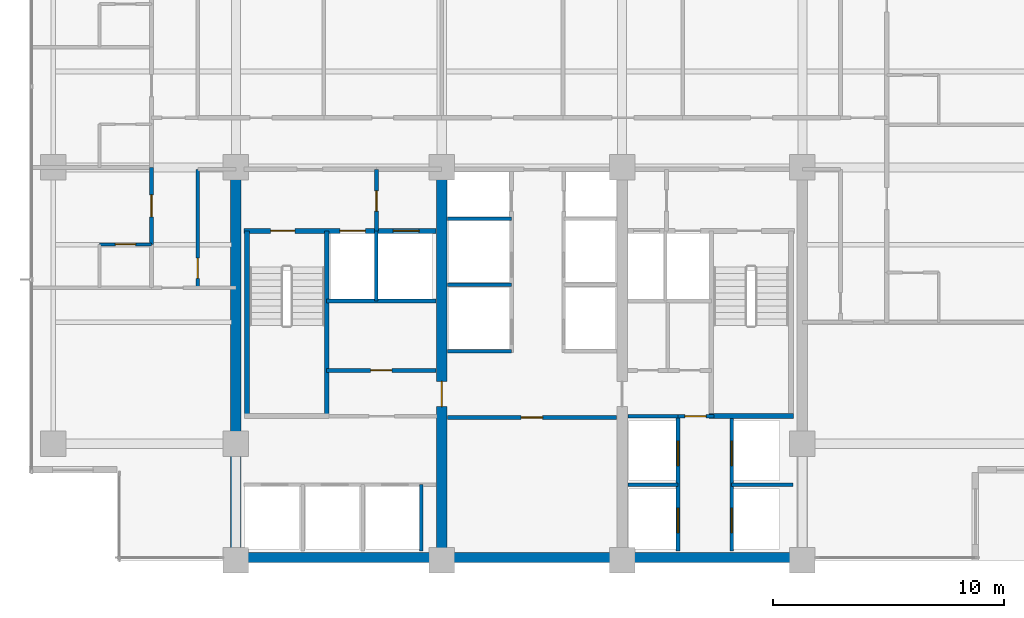
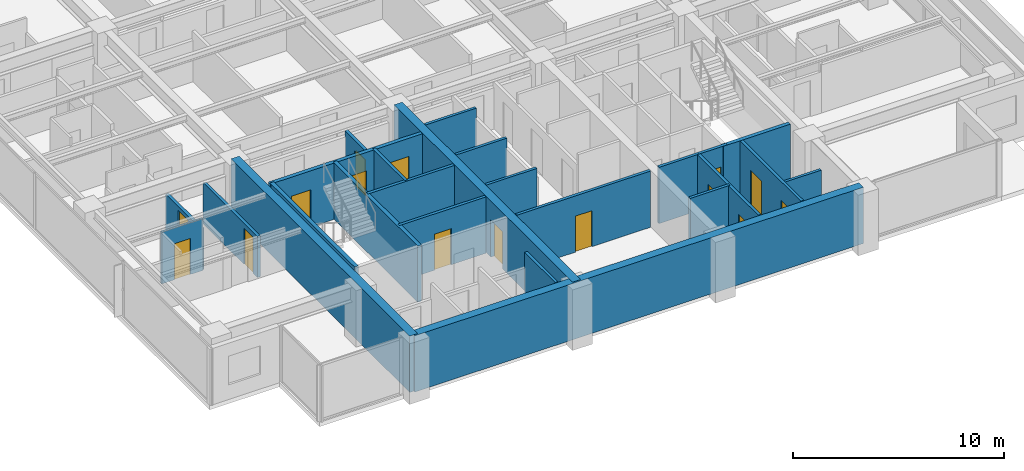
# One storey, part 7 of 16: 25 walls, 15 doors, 15 openings.
"""IFC4 building model written with IfcOpenShell, lengths in metres."""

from ifc_helpers import new_model, si_unit, direction, frame, frame_2d, origin, place, context, subcontext, project, spatial, rectangle, extrude, material, layer, layer_set, type_object, element, fill, save


model = new_model("IFC4")

# Units and contexts
model_context = context("Model", 3, precision=1e-05, world=origin(), true_north=direction((0.0, 1.0)))
body_context = subcontext(model_context, "Body", "Model", "MODEL_VIEW")
ifc_project = project(units=[si_unit("LENGTHUNIT", "METRE"), si_unit("AREAUNIT", "SQUARE_METRE"), si_unit("VOLUMEUNIT", "CUBIC_METRE"), si_unit("PLANEANGLEUNIT", "RADIAN"), si_unit("MASSUNIT", "GRAM", prefix="KILO")], contexts=[model_context])

# Site, building, storey
site_placement = place(None, origin())
site = spatial("IfcSite", under=ifc_project, at=site_placement, CompositionType="ELEMENT")
building_placement = place(site_placement, origin())
building = spatial("IfcBuilding", under=site, at=building_placement, Name="Qalmaran Belvedere Hotel", CompositionType="ELEMENT")
storey_placement = place(building_placement, frame((0.0, 0.0, 138.60009765625)))
storey = spatial("IfcBuildingStorey", under=building, at=storey_placement, Name="L34", CompositionType="ELEMENT", Elevation=138.60009765625)

# Wall
ifc_material_1 = material(Name="Concrete C50/60", Category="concrete")
ifc_layer_1 = layer(ifc_material_1, 0.449951171875, Name="Concrete C50/60")
ifc_layer_set_1 = layer_set([ifc_layer_1], Name="Concrete C50/60")
wall_type_1 = type_object("IfcWallType", Name="WL-CORE-450-C50", PredefinedType="SHEAR", material=ifc_layer_set_1)
wall_1_placement = place(storey_placement, frame((20.300048828125, 3.5, 0.0), z_axis=(0.0, 0.0, 1.0), x_axis=(0.0, 1.0, 0.0)))
element("IfcWall", 1, at=wall_1_placement, inside=storey, type_object=wall_type_1, Name="L34 West Core Shear Wall", PredefinedType="SHEAR", context=body_context, shape_type="SweptSolid", body=[
    extrude(rectangle(XDim=16.89990234375, YDim=0.449951171875, at=frame_2d((8.449951171875, 0.0))), origin(), (0.0, 0.0, 1.0), 3.25),
])

# Wall, opening, door
wall_2_placement = place(storey_placement, frame((29.199951171875, 3.5, 0.0), z_axis=(0.0, 0.0, 1.0), x_axis=(0.0, 1.0, 0.0)))
wall_2 = element("IfcWall", 2, at=wall_2_placement, inside=storey, type_object=wall_type_1, Name="L34 Core West Spine Shear Wall", PredefinedType="SHEAR", context=body_context, shape_type="SweptSolid", body=[
    extrude(rectangle(XDim=16.89990234375, YDim=0.449951171875, at=frame_2d((8.449951171875, 0.0))), origin(), (0.0, 0.0, 1.0), 3.25),
])
opening_1_placement = place(wall_2_placement, frame((7.75, 0.0, 0.0), z_axis=(0.0, 0.0, 1.0), x_axis=(-1.0, 0.0, 0.0)))
opening_1 = element("IfcOpeningElement", 3, at=opening_1_placement, cuts=wall_2, Name="Opening FD90", PredefinedType="OPENING", context=body_context, shape_type="SweptSolid", body=[
    extrude(rectangle(XDim=1.10009765625, YDim=2.14990234375, at=frame_2d((0.550048828125, 1.074951171875))), frame((0.0, 0.23486328125, 0.0), z_axis=(0.0, -1.0, 0.0), x_axis=(1.0, 0.0, 0.0)), (0.0, 0.0, 1.0), 0.469970703125),
])
ifc_material_2 = material(Name="Steel S355JR", Category="steel")
door_type_1 = type_object("IfcDoorType", Name="DR-FD90-1100X2150", OperationType="NOTDEFINED", PredefinedType="DOOR", material=ifc_material_2)
door_1_placement = place(opening_1_placement, origin())
door_1 = element("IfcDoor", 4, at=door_1_placement, inside=storey, type_object=door_type_1, Name="L34 Core West Cross-Lobby Door", OperationType="SINGLE_SWING_RIGHT", OverallHeight=2.14990234375, OverallWidth=1.10009765625, PredefinedType="DOOR", context=body_context, shape_type="SweptSolid", body=[
    extrude(rectangle(XDim=1.10009765625, YDim=2.14990234375, at=frame_2d((0.550048828125, 1.074951171875))), frame((0.0, 0.02490234375, 0.0), z_axis=(0.0, -1.0, 0.0), x_axis=(1.0, 0.0, 0.0)), (0.0, 0.0, 1.0), 0.050048828125),
])
fill(opening_1, door_1)

# Wall
ifc_layer_2 = layer(ifc_material_1, 0.43994140625, Name="Concrete C50/60")
ifc_layer_set_2 = layer_set([ifc_layer_2], Name="Concrete C50/60")
wall_type_2 = type_object("IfcWallType", Name="WL-CORES-440-EXT", PredefinedType="SHEAR", material=ifc_layer_set_2)
wall_3_placement = place(storey_placement, frame((20.300048828125, 3.6298828125, 0.0), z_axis=(0.0, 0.0, 1.0), x_axis=(1.0, 0.0, 0.0)))
element("IfcWall", 5, at=wall_3_placement, inside=storey, type_object=wall_type_2, Name="L34 South Core Shear Wall", PredefinedType="SHEAR", context=body_context, shape_type="SweptSolid", body=[
    extrude(rectangle(XDim=24.5, YDim=0.43994140625, at=frame_2d((12.25, 0.0))), origin(), (0.0, 0.0, 1.0), 3.25),
])

# Wall, opening, door
ifc_material_3 = material(Name="Moisture-Resistant Gypsum")
ifc_layer_3 = layer(ifc_material_3, 0.1201171875, Name="Moisture-Resistant Gypsum")
ifc_layer_set_3 = layer_set([ifc_layer_3], Name="Moisture-Resistant Gypsum")
wall_type_3 = type_object("IfcWallType", Name="WL-INT-120-BATH", PredefinedType="PARTITIONING", material=ifc_layer_set_3)
wall_4_placement = place(storey_placement, frame((14.39990234375, 17.169921875, 0.0), z_axis=(0.0, 0.0, 1.0), x_axis=(1.0, 0.0, 0.0)))
wall_4 = element("IfcWall", 6, at=wall_4_placement, inside=storey, type_object=wall_type_3, Name="L34 Partition WL-L34-WBN00", PredefinedType="PARTITIONING", context=body_context, shape_type="SweptSolid", body=[
    extrude(rectangle(XDim=2.25, YDim=0.1201171875, at=frame_2d((1.125, 0.0))), origin(), (0.0, 0.0, 1.0), 2.98779296875),
])
opening_2_placement = place(wall_4_placement, frame((1.56494140625, 0.0, 0.0), z_axis=(0.0, 0.0, 1.0), x_axis=(-1.0, 0.0, 0.0)))
opening_2 = element("IfcOpeningElement", 7, at=opening_2_placement, cuts=wall_4, Name="Opening D-BATH", PredefinedType="OPENING", context=body_context, shape_type="SweptSolid", body=[
    extrude(rectangle(XDim=0.8798828125, YDim=2.080078125, at=frame_2d((0.43994140625, 1.0400390625))), frame((0.0, 0.070068359375, 0.0), z_axis=(0.0, -1.0, 0.0), x_axis=(1.0, 0.0, 0.0)), (0.0, 0.0, 1.0), 0.14013671875),
])
ifc_material_4 = material(Name="Engineered Oak Veneer")
door_type_2 = type_object("IfcDoorType", Name="DR-INT-BATH-880X2080", OperationType="NOTDEFINED", PredefinedType="DOOR", material=ifc_material_4)
door_2_placement = place(opening_2_placement, origin())
door_2 = element("IfcDoor", 8, at=door_2_placement, inside=storey, type_object=door_type_2, Name="L34 W Ensuite Door 01", OperationType="SINGLE_SWING_RIGHT", OverallHeight=2.080078125, OverallWidth=0.8798828125, PredefinedType="DOOR", context=body_context, shape_type="SweptSolid", body=[
    extrude(rectangle(XDim=0.8798828125, YDim=2.080078125, at=frame_2d((0.43994140625, 1.0400390625))), frame((0.0, 0.02490234375, 0.0), z_axis=(0.0, -1.0, 0.0), x_axis=(1.0, 0.0, 0.0)), (0.0, 0.0, 1.0), 0.050048828125),
])
fill(opening_2, door_2)

# Walls
ifc_material_5 = material(Name="Gypsum Stud Partition")
ifc_layer_4 = layer(ifc_material_5, 0.14990234375, Name="Gypsum Stud Partition")
ifc_layer_set_4 = layer_set([ifc_layer_4], Name="Gypsum Stud Partition")
wall_type_4 = type_object("IfcWallType", Name="WL-INT-150-EI120", PredefinedType="PARTITIONING", material=ifc_layer_set_4)
wall_5_placement = place(storey_placement, frame((26.360107421875, 14.719970703125, 0.0), z_axis=(0.0, 0.0, 1.0), x_axis=(0.0, 1.0, 0.0)))
element("IfcWall", 9, at=wall_5_placement, inside=storey, type_object=wall_type_4, Name="L34 Partition WL-FF1M-L34", PredefinedType="PARTITIONING", context=body_context, shape_type="SweptSolid", body=[
    extrude(rectangle(XDim=3.0400390625, YDim=0.14990234375, at=frame_2d((1.52001953125, 0.0))), origin(), (0.0, 0.0, 1.0), 3.25),
])
wall_6_placement = place(storey_placement, frame((28.320068359375, 3.89990234375, 0.0), z_axis=(0.0, 0.0, 1.0), x_axis=(0.0, 1.0, 0.0)))
element("IfcWall", 10, at=wall_6_placement, inside=storey, type_object=wall_type_4, Name="L34 Partition WL-POM3-L34", PredefinedType="PARTITIONING", context=body_context, shape_type="SweptSolid", body=[
    extrude(rectangle(XDim=2.880126953125, YDim=0.14990234375, at=frame_2d((1.43994140625, 0.0))), origin(), (0.0, 0.0, 1.0), 3.25),
])
wall_7_placement = place(storey_placement, frame((37.25, 6.780029296875, 0.0), z_axis=(0.0, 0.0, 1.0), x_axis=(1.0, 0.0, 0.0)))
element("IfcWall", 11, at=wall_7_placement, inside=storey, type_object=wall_type_4, Name="L34 Partition WL-PHMW-L34", PredefinedType="PARTITIONING", context=body_context, shape_type="SweptSolid", body=[
    extrude(rectangle(XDim=2.169921875, YDim=0.14990234375, at=frame_2d((1.0849609375, 0.0))), origin(), (0.0, 0.0, 1.0), 3.25),
])
wall_8_placement = place(storey_placement, frame((41.739990234375, 6.780029296875, 0.0), z_axis=(0.0, 0.0, 1.0), x_axis=(1.0, 0.0, 0.0)))
element("IfcWall", 12, at=wall_8_placement, inside=storey, type_object=wall_type_4, Name="L34 Partition WL-PHME-L34", PredefinedType="PARTITIONING", context=body_context, shape_type="SweptSolid", body=[
    extrude(rectangle(XDim=2.659912109375, YDim=0.14990234375, at=frame_2d((1.330078125, 0.0))), origin(), (0.0, 0.0, 1.0), 2.3798828125),
])
for number, where, z_axis, x_axis, name in (
    (13, (29.449951171875, 12.550048828125, 0.0), (0.0, 0.0, 1.0), (1.0, 0.0, 0.0), "L34 Partition WL-PMW-L34-125"),
    (14, (29.449951171875, 15.419921875, 0.0), (0.0, 0.0, 1.0), (1.0, 0.0, 0.0), "L34 Partition WL-PMW-L34-154"),
    (15, (29.449951171875, 18.280029296875, 0.0), (0.0, 0.0, 1.0), (1.0, 0.0, 0.0), "L34 Partition WL-PMW-L34-182"),
):
    element("IfcWall", number, at=place(storey_placement, frame(where, z_axis=z_axis, x_axis=x_axis)), inside=storey, type_object=wall_type_4, Name=name, PredefinedType="PARTITIONING", context=body_context, shape_type="SweptSolid", body=[
        extrude(rectangle(XDim=2.77001953125, YDim=0.14990234375, at=frame_2d((1.385009765625, 0.0))), origin(), (0.0, 0.0, 1.0), 3.25),
    ])

# Wall, opening, door
ifc_layer_5 = layer(ifc_material_5, 0.159912109375, Name="Gypsum Stud Partition")
ifc_layer_set_5 = layer_set([ifc_layer_5], Name="Gypsum Stud Partition")
wall_type_5 = type_object("IfcWallType", Name="WL-INT-160-EI120", PredefinedType="PARTITIONING", material=ifc_layer_set_5)
wall_9_placement = place(storey_placement, frame((26.3798828125, 17.760009765625, 0.0), z_axis=(0.0, 0.0, 1.0), x_axis=(0.0, 1.0, 0.0)))
wall_9 = element("IfcWall", 16, at=wall_9_placement, inside=storey, type_object=wall_type_5, Name="L34 Partition WL-FFSV1-L34", PredefinedType="PARTITIONING", context=body_context, shape_type="SweptSolid", body=[
    extrude(rectangle(XDim=2.659912109375, YDim=0.159912109375, at=frame_2d((1.330078125, 0.0))), origin(), (0.0, 0.0, 1.0), 2.69189453125),
])
opening_3_placement = place(wall_9_placement, frame((0.85009765625, 0.0, 0.0)))
opening_3 = element("IfcOpeningElement", 17, at=opening_3_placement, cuts=wall_9, Name="Opening FD60B", PredefinedType="OPENING", context=body_context, shape_type="SweptSolid", body=[
    extrude(rectangle(XDim=0.8798828125, YDim=2.080078125, at=frame_2d((0.43994140625, 1.0400390625))), frame((0.0, 0.08984375, 0.0), z_axis=(0.0, -1.0, 0.0), x_axis=(1.0, 0.0, 0.0)), (0.0, 0.0, 1.0), 0.179931640625),
])
door_type_3 = type_object("IfcDoorType", Name="DR-FD60B-880X2080", OperationType="NOTDEFINED", PredefinedType="DOOR", material=ifc_material_2)
door_3_placement = place(opening_3_placement, origin())
door_3 = element("IfcDoor", 18, at=door_3_placement, inside=storey, type_object=door_type_3, Name="L34 Service Lobby West Door", OperationType="SINGLE_SWING_RIGHT", OverallHeight=2.080078125, OverallWidth=0.8798828125, PredefinedType="DOOR", context=body_context, shape_type="SweptSolid", body=[
    extrude(rectangle(XDim=0.8798828125, YDim=2.080078125, at=frame_2d((0.43994140625, 1.0400390625))), frame((0.0, 0.02490234375, 0.0), z_axis=(0.0, -1.0, 0.0), x_axis=(1.0, 0.0, 0.0)), (0.0, 0.0, 1.0), 0.050048828125),
])
fill(opening_3, door_3)

# Wall
wall_10_placement = place(storey_placement, frame((24.219970703125, 14.719970703125, 0.0), z_axis=(0.0, 0.0, 1.0), x_axis=(1.0, 0.0, 0.0)))
element("IfcWall", 19, at=wall_10_placement, inside=storey, type_object=wall_type_5, Name="L34 Partition WL-FF1S-L34", PredefinedType="PARTITIONING", context=body_context, shape_type="SweptSolid", body=[
    extrude(rectangle(XDim=4.72998046875, YDim=0.159912109375, at=frame_2d((2.364990234375, 0.0))), origin(), (0.0, 0.0, 1.0), 3.25),
])

# Wall, openings, doors
wall_11_placement = place(storey_placement, frame((39.419921875, 3.89990234375, 0.0), z_axis=(0.0, 0.0, 1.0), x_axis=(0.0, 1.0, 0.0)))
wall_11 = element("IfcWall", 20, at=wall_11_placement, inside=storey, type_object=wall_type_5, Name="L34 Partition WL-PHW-L34", PredefinedType="PARTITIONING", context=body_context, shape_type="SweptSolid", body=[
    extrude(rectangle(XDim=5.840087890625, YDim=0.159912109375, at=frame_2d((2.919921875, 0.0))), origin(), (0.0, 0.0, 1.0), 3.25),
])
opening_4_placement = place(wall_11_placement, frame((1.860107421875, 0.0, 0.0), z_axis=(0.0, 0.0, 1.0), x_axis=(-1.0, 0.0, 0.0)))
opening_4 = element("IfcOpeningElement", 21, at=opening_4_placement, cuts=wall_11, Name="Opening LD-P2", PredefinedType="OPENING", context=body_context, shape_type="SweptSolid", body=[
    extrude(rectangle(XDim=1.06005859375, YDim=2.159912109375, at=frame_2d((0.530029296875, 1.080078125))), frame((0.0, 0.08984375, 0.0), z_axis=(0.0, -1.0, 0.0), x_axis=(1.0, 0.0, 0.0)), (0.0, 0.0, 1.0), 0.179931640625),
])
opening_5_placement = place(wall_11_placement, frame((4.760009765625, 0.0, 0.0), z_axis=(0.0, 0.0, 1.0), x_axis=(-1.0, 0.0, 0.0)))
opening_5 = element("IfcOpeningElement", 22, at=opening_5_placement, cuts=wall_11, Name="Opening LD-P2", PredefinedType="OPENING", context=body_context, shape_type="SweptSolid", body=[
    extrude(rectangle(XDim=1.06005859375, YDim=2.159912109375, at=frame_2d((0.530029296875, 1.080078125))), frame((0.0, 0.08984375, 0.0), z_axis=(0.0, -1.0, 0.0), x_axis=(1.0, 0.0, 0.0)), (0.0, 0.0, 1.0), 0.179931640625),
])
ifc_material_6 = material(Name="Stainless Steel 1.4401", Category="steel")
door_type_4 = type_object("IfcDoorType", Name="DR-LIFT-P2-1060X2160", OperationType="DOUBLE_DOOR_SLIDING", PredefinedType="DOOR", material=ifc_material_6)
door_4_placement = place(opening_4_placement, origin())
door_4 = element("IfcDoor", 23, at=door_4_placement, inside=storey, type_object=door_type_4, Name="L34 PH1 Lift Landing Door", OperationType="DOUBLE_DOOR_SLIDING", OverallHeight=2.159912109375, OverallWidth=1.06005859375, PredefinedType="DOOR", context=body_context, shape_type="SweptSolid", body=[
    extrude(rectangle(XDim=1.06005859375, YDim=2.159912109375, at=frame_2d((0.530029296875, 1.080078125))), frame((0.0, 0.02490234375, 0.0), z_axis=(0.0, -1.0, 0.0), x_axis=(1.0, 0.0, 0.0)), (0.0, 0.0, 1.0), 0.050048828125),
])
fill(opening_4, door_4)
door_5_placement = place(opening_5_placement, origin())
door_5 = element("IfcDoor", 24, at=door_5_placement, inside=storey, type_object=door_type_4, Name="L34 PH2 Lift Landing Door", OperationType="DOUBLE_DOOR_SLIDING", OverallHeight=2.159912109375, OverallWidth=1.06005859375, PredefinedType="DOOR", context=body_context, shape_type="SweptSolid", body=[
    extrude(rectangle(XDim=1.06005859375, YDim=2.159912109375, at=frame_2d((0.530029296875, 1.080078125))), frame((0.0, 0.02490234375, 0.0), z_axis=(0.0, -1.0, 0.0), x_axis=(1.0, 0.0, 0.0)), (0.0, 0.0, 1.0), 0.050048828125),
])
fill(opening_5, door_5)

wall_12_placement = place(storey_placement, frame((41.739990234375, 3.89990234375, 0.0), z_axis=(0.0, 0.0, 1.0), x_axis=(0.0, 1.0, 0.0)))
wall_12 = element("IfcWall", 25, at=wall_12_placement, inside=storey, type_object=wall_type_5, Name="L34 Partition WL-PHE-L34", PredefinedType="PARTITIONING", context=body_context, shape_type="SweptSolid", body=[
    extrude(rectangle(XDim=5.840087890625, YDim=0.159912109375, at=frame_2d((2.919921875, 0.0))), origin(), (0.0, 0.0, 1.0), 3.25),
])
opening_6_placement = place(wall_12_placement, frame((0.800048828125, 0.0, 0.0)))
opening_6 = element("IfcOpeningElement", 26, at=opening_6_placement, cuts=wall_12, Name="Opening LD-P2", PredefinedType="OPENING", context=body_context, shape_type="SweptSolid", body=[
    extrude(rectangle(XDim=1.06005859375, YDim=2.159912109375, at=frame_2d((0.530029296875, 1.080078125))), frame((0.0, 0.08984375, 0.0), z_axis=(0.0, -1.0, 0.0), x_axis=(1.0, 0.0, 0.0)), (0.0, 0.0, 1.0), 0.179931640625),
])
opening_7_placement = place(wall_12_placement, frame((3.699951171875, 0.0, 0.0)))
opening_7 = element("IfcOpeningElement", 27, at=opening_7_placement, cuts=wall_12, Name="Opening LD-P2", PredefinedType="OPENING", context=body_context, shape_type="SweptSolid", body=[
    extrude(rectangle(XDim=1.06005859375, YDim=2.159912109375, at=frame_2d((0.530029296875, 1.080078125))), frame((0.0, 0.08984375, 0.0), z_axis=(0.0, -1.0, 0.0), x_axis=(1.0, 0.0, 0.0)), (0.0, 0.0, 1.0), 0.179931640625),
])
door_6_placement = place(opening_6_placement, origin())
door_6 = element("IfcDoor", 28, at=door_6_placement, inside=storey, type_object=door_type_4, Name="L34 PH3 Lift Landing Door", OperationType="DOUBLE_DOOR_SLIDING", OverallHeight=2.159912109375, OverallWidth=1.06005859375, PredefinedType="DOOR", context=body_context, shape_type="SweptSolid", body=[
    extrude(rectangle(XDim=1.06005859375, YDim=2.159912109375, at=frame_2d((0.530029296875, 1.080078125))), frame((0.0, 0.02490234375, 0.0), z_axis=(0.0, -1.0, 0.0), x_axis=(1.0, 0.0, 0.0)), (0.0, 0.0, 1.0), 0.050048828125),
])
fill(opening_6, door_6)
door_7_placement = place(opening_7_placement, origin())
door_7 = element("IfcDoor", 29, at=door_7_placement, inside=storey, type_object=door_type_4, Name="L34 PH4 Lift Landing Door", OperationType="DOUBLE_DOOR_SLIDING", OverallHeight=2.159912109375, OverallWidth=1.06005859375, PredefinedType="DOOR", context=body_context, shape_type="SweptSolid", body=[
    extrude(rectangle(XDim=1.06005859375, YDim=2.159912109375, at=frame_2d((0.530029296875, 1.080078125))), frame((0.0, 0.02490234375, 0.0), z_axis=(0.0, -1.0, 0.0), x_axis=(1.0, 0.0, 0.0)), (0.0, 0.0, 1.0), 0.050048828125),
])
fill(opening_7, door_7)

# Wall
wall_13_placement = place(storey_placement, frame((37.25, 9.739990234375, 0.0), z_axis=(0.0, 0.0, 1.0), x_axis=(1.0, 0.0, 0.0)))
element("IfcWall", 30, at=wall_13_placement, inside=storey, type_object=wall_type_5, Name="L34 Partition WL-PHNW-L34", PredefinedType="PARTITIONING", context=body_context, shape_type="SweptSolid", body=[
    extrude(rectangle(XDim=2.169921875, YDim=0.159912109375, at=frame_2d((1.0849609375, 0.0))), origin(), (0.0, 0.0, 1.0), 3.25),
])

# Wall, opening, door
wall_14_placement = place(storey_placement, frame((39.419921875, 9.739990234375, 0.0), z_axis=(0.0, 0.0, 1.0), x_axis=(1.0, 0.0, 0.0)))
wall_14 = element("IfcWall", 31, at=wall_14_placement, inside=storey, type_object=wall_type_5, Name="L34 Partition WL-PHNL-L34", PredefinedType="PARTITIONING", context=body_context, shape_type="SweptSolid", body=[
    extrude(rectangle(XDim=1.56005859375, YDim=0.159912109375, at=frame_2d((0.780029296875, 0.0))), origin(), (0.0, 0.0, 1.0), 3.25),
])
opening_8_placement = place(wall_14_placement, frame((0.300048828125, 0.0, 0.0)))
opening_8 = element("IfcOpeningElement", 32, at=opening_8_placement, cuts=wall_14, Name="Opening FD60S1", PredefinedType="OPENING", context=body_context, shape_type="SweptSolid", body=[
    extrude(rectangle(XDim=0.919921875, YDim=2.080078125, at=frame_2d((0.4599609375, 1.0400390625))), frame((0.0, 0.08984375, 0.0), z_axis=(0.0, -1.0, 0.0), x_axis=(1.0, 0.0, 0.0)), (0.0, 0.0, 1.0), 0.179931640625),
])
door_type_5 = type_object("IfcDoorType", Name="DR-FD60S-920X2080", OperationType="NOTDEFINED", PredefinedType="DOOR", material=ifc_material_4)
door_8_placement = place(opening_8_placement, origin())
door_8 = element("IfcDoor", 33, at=door_8_placement, inside=storey, type_object=door_type_5, Name="L34 High-Rise Lift Lobby Passage Door", OperationType="SINGLE_SWING_LEFT", OverallHeight=2.080078125, OverallWidth=0.919921875, PredefinedType="DOOR", context=body_context, shape_type="SweptSolid", body=[
    extrude(rectangle(XDim=0.919921875, YDim=2.080078125, at=frame_2d((0.4599609375, 1.0400390625))), frame((0.0, 0.02490234375, 0.0), z_axis=(0.0, -1.0, 0.0), x_axis=(1.0, 0.0, 0.0)), (0.0, 0.0, 1.0), 0.050048828125),
])
fill(opening_8, door_8)

ifc_layer_6 = layer(ifc_material_5, 0.159912109375, Name="Gypsum Stud Partition")
ifc_layer_set_6 = layer_set([ifc_layer_6], Name="Gypsum Stud Partition")
wall_type_6 = type_object("IfcWallType", Name="WL-INT-160-EI60", PredefinedType="PARTITIONING", material=ifc_layer_set_6)
wall_15_placement = place(storey_placement, frame((24.219970703125, 11.719970703125, 0.0), z_axis=(0.0, 0.0, 1.0), x_axis=(1.0, 0.0, 0.0)))
wall_15 = element("IfcWall", 34, at=wall_15_placement, inside=storey, type_object=wall_type_6, Name="L34 Partition WL-L34-KWE1", PredefinedType="PARTITIONING", context=body_context, shape_type="SweptSolid", body=[
    extrude(rectangle(XDim=4.72998046875, YDim=0.159912109375, at=frame_2d((2.364990234375, 0.0))), origin(), (0.0, 0.0, 1.0), 3.25),
])
opening_9_placement = place(wall_15_placement, frame((1.905029296875, 0.0, 0.0)))
opening_9 = element("IfcOpeningElement", 35, at=opening_9_placement, cuts=wall_15, Name="Opening FD60S1", PredefinedType="OPENING", context=body_context, shape_type="SweptSolid", body=[
    extrude(rectangle(XDim=0.919921875, YDim=2.080078125, at=frame_2d((0.4599609375, 1.0400390625))), frame((0.0, 0.08984375, 0.0), z_axis=(0.0, -1.0, 0.0), x_axis=(1.0, 0.0, 0.0)), (0.0, 0.0, 1.0), 0.179931640625),
])
door_9_placement = place(opening_9_placement, origin())
door_9 = element("IfcDoor", 36, at=door_9_placement, inside=storey, type_object=door_type_5, Name="L34 Electrical Distribution Room Door", OperationType="SINGLE_SWING_LEFT", OverallHeight=2.080078125, OverallWidth=0.919921875, PredefinedType="DOOR", context=body_context, shape_type="SweptSolid", body=[
    extrude(rectangle(XDim=0.919921875, YDim=2.080078125, at=frame_2d((0.4599609375, 1.0400390625))), frame((0.0, 0.02490234375, 0.0), z_axis=(0.0, -1.0, 0.0), x_axis=(1.0, 0.0, 0.0)), (0.0, 0.0, 1.0), 0.050048828125),
])
fill(opening_9, door_9)

wall_16_placement = place(storey_placement, frame((29.449951171875, 9.679931640625, 0.0), z_axis=(0.0, 0.0, 1.0), x_axis=(1.0, 0.0, 0.0)))
wall_16 = element("IfcWall", 37, at=wall_16_placement, inside=storey, type_object=wall_type_6, Name="L34 Partition WL-L34-KPLE1", PredefinedType="PARTITIONING", context=body_context, shape_type="SweptSolid", body=[
    extrude(rectangle(XDim=7.300048828125, YDim=0.159912109375, at=frame_2d((3.64990234375, 0.0))), origin(), (0.0, 0.0, 1.0), 3.25),
])
opening_10_placement = place(wall_16_placement, frame((4.10986328125, 0.0, 0.0), z_axis=(0.0, 0.0, 1.0), x_axis=(-1.0, 0.0, 0.0)))
opening_10 = element("IfcOpeningElement", 38, at=opening_10_placement, cuts=wall_16, Name="Opening FD60S1", PredefinedType="OPENING", context=body_context, shape_type="SweptSolid", body=[
    extrude(rectangle(XDim=0.919921875, YDim=2.080078125, at=frame_2d((0.4599609375, 1.0400390625))), frame((0.0, 0.08984375, 0.0), z_axis=(0.0, -1.0, 0.0), x_axis=(1.0, 0.0, 0.0)), (0.0, 0.0, 1.0), 0.179931640625),
])
door_10_placement = place(opening_10_placement, origin())
door_10 = element("IfcDoor", 39, at=door_10_placement, inside=storey, type_object=door_type_5, Name="L34 Housekeeping and Linen Room Door", OperationType="SINGLE_SWING_RIGHT", OverallHeight=2.080078125, OverallWidth=0.919921875, PredefinedType="DOOR", context=body_context, shape_type="SweptSolid", body=[
    extrude(rectangle(XDim=0.919921875, YDim=2.080078125, at=frame_2d((0.4599609375, 1.0400390625))), frame((0.0, 0.02490234375, 0.0), z_axis=(0.0, -1.0, 0.0), x_axis=(1.0, 0.0, 0.0)), (0.0, 0.0, 1.0), 0.050048828125),
])
fill(opening_10, door_10)

wall_17_placement = place(storey_placement, frame((18.64990234375, 15.300048828125, 0.0), z_axis=(0.0, 0.0, 1.0), x_axis=(0.0, 1.0, 0.0)))
wall_17 = element("IfcWall", 40, at=wall_17_placement, inside=storey, type_object=wall_type_6, Name="L34 Partition WL-L34-WCL", PredefinedType="PARTITIONING", context=body_context, shape_type="SweptSolid", body=[
    extrude(rectangle(XDim=5.119873046875, YDim=0.159912109375, at=frame_2d((2.56005859375, 0.0))), origin(), (0.0, 0.0, 1.0), 2.3798828125),
])
opening_11_placement = place(wall_17_placement, frame((1.27978515625, 0.0, 0.0), z_axis=(0.0, 0.0, 1.0), x_axis=(-1.0, 0.0, 0.0)))
opening_11 = element("IfcOpeningElement", 41, at=opening_11_placement, cuts=wall_17, Name="Opening FD60B", PredefinedType="OPENING", context=body_context, shape_type="SweptSolid", body=[
    extrude(rectangle(XDim=0.8798828125, YDim=2.080078125, at=frame_2d((0.43994140625, 1.0400390625))), frame((0.0, 0.08984375, 0.0), z_axis=(0.0, -1.0, 0.0), x_axis=(1.0, 0.0, 0.0)), (0.0, 0.0, 1.0), 0.179931640625),
])
door_11_placement = place(opening_11_placement, origin())
door_11 = element("IfcDoor", 42, at=door_11_placement, inside=storey, type_object=door_type_3, Name="L34 West Closet Door", OperationType="SINGLE_SWING_LEFT", OverallHeight=2.080078125, OverallWidth=0.8798828125, PredefinedType="DOOR", context=body_context, shape_type="SweptSolid", body=[
    extrude(rectangle(XDim=0.8798828125, YDim=2.080078125, at=frame_2d((0.43994140625, 1.0400390625))), frame((0.0, 0.02490234375, 0.0), z_axis=(0.0, -1.0, 0.0), x_axis=(1.0, 0.0, 0.0)), (0.0, 0.0, 1.0), 0.050048828125),
])
fill(opening_11, door_11)

ifc_layer_7 = layer(ifc_material_5, 0.179931640625, Name="Gypsum Stud Partition")
ifc_layer_set_7 = layer_set([ifc_layer_7], Name="Gypsum Stud Partition")
wall_type_7 = type_object("IfcWallType", Name="WL-INT-180-EI60", PredefinedType="PARTITIONING", material=ifc_layer_set_7)
wall_18_placement = place(storey_placement, frame((16.64990234375, 17.169921875, 0.0), z_axis=(0.0, 0.0, 1.0), x_axis=(0.0, 1.0, 0.0)))
wall_18 = element("IfcWall", 43, at=wall_18_placement, inside=storey, type_object=wall_type_7, Name="L34 Partition WL-L34-WEC00", PredefinedType="PARTITIONING", context=body_context, shape_type="SweptSolid", body=[
    extrude(rectangle(XDim=3.330078125, YDim=0.179931640625, at=frame_2d((1.6650390625, 0.0))), origin(), (0.0, 0.0, 1.0), 2.3798828125),
])
opening_12_placement = place(wall_18_placement, frame((1.18994140625, 0.0, 0.0)))
opening_12 = element("IfcOpeningElement", 44, at=opening_12_placement, cuts=wall_18, Name="Opening FD60", PredefinedType="OPENING", context=body_context, shape_type="SweptSolid", body=[
    extrude(rectangle(XDim=0.949951171875, YDim=2.14990234375, at=frame_2d((0.47509765625, 1.074951171875))), frame((0.0, 0.10009765625, 0.0), z_axis=(0.0, -1.0, 0.0), x_axis=(1.0, 0.0, 0.0)), (0.0, 0.0, 1.0), 0.199951171875),
])
door_type_6 = type_object("IfcDoorType", Name="DR-FD60-950X2150", OperationType="NOTDEFINED", PredefinedType="DOOR", material=ifc_material_4)
door_12_placement = place(opening_12_placement, origin())
door_12 = element("IfcDoor", 45, at=door_12_placement, inside=storey, type_object=door_type_6, Name="L34 W Wing Door 01", OperationType="SINGLE_SWING_LEFT", OverallHeight=2.14990234375, OverallWidth=0.949951171875, PredefinedType="DOOR", context=body_context, shape_type="SweptSolid", body=[
    extrude(rectangle(XDim=0.949951171875, YDim=2.14990234375, at=frame_2d((0.47509765625, 1.074951171875))), frame((0.0, 0.02490234375, 0.0), z_axis=(0.0, -1.0, 0.0), x_axis=(1.0, 0.0, 0.0)), (0.0, 0.0, 1.0), 0.050048828125),
])
fill(opening_12, door_12)

# Walls
ifc_layer_8 = layer(ifc_material_1, 0.2099609375, Name="Concrete C50/60")
ifc_layer_set_8 = layer_set([ifc_layer_8], Name="Concrete C50/60")
wall_type_8 = type_object("IfcWallType", Name="WL-STAIR-210-C50", PredefinedType="SHEAR", material=ifc_layer_set_8)
for number, where, z_axis, x_axis, name in (
    (46, (20.77490234375, 9.7451171875, 0.0), (0.0, 0.0, 1.0), (0.0, 1.0, 0.0), "L34 Stair ST-1 West Bearing Wall"),
    (47, (24.22509765625, 9.7451171875, 0.0), (0.0, 0.0, 1.0), (0.0, 1.0, 0.0), "L34 Stair ST-1 East Bearing Wall"),
):
    element("IfcWall", number, at=place(storey_placement, frame(where, z_axis=z_axis, x_axis=x_axis)), inside=storey, type_object=wall_type_8, Name=name, PredefinedType="SHEAR", context=body_context, shape_type="SweptSolid", body=[
        extrude(rectangle(XDim=8.009765625, YDim=0.2099609375, at=frame_2d((4.0048828125, 0.0))), origin(), (0.0, 0.0, 1.0), 3.25),
    ])

# Wall, openings, doors
wall_19_placement = place(storey_placement, frame((20.64990234375, 17.7548828125, 0.0), z_axis=(0.0, 0.0, 1.0), x_axis=(1.0, 0.0, 0.0)))
wall_19 = element("IfcWall", 48, at=wall_19_placement, inside=storey, type_object=wall_type_8, Name="L34 West Lobby and Stair ST-1 North Bearing Wall", PredefinedType="SHEAR", context=body_context, shape_type="SweptSolid", body=[
    extrude(rectangle(XDim=8.300048828125, YDim=0.2099609375, at=frame_2d((4.14990234375, 0.0))), origin(), (0.0, 0.0, 1.0), 3.25),
])
opening_13_placement = place(wall_19_placement, frame((2.199951171875, 0.0, 0.0), z_axis=(0.0, 0.0, 1.0), x_axis=(-1.0, 0.0, 0.0)))
opening_13 = element("IfcOpeningElement", 49, at=opening_13_placement, cuts=wall_19, Name="Opening FD90S2", PredefinedType="OPENING", context=body_context, shape_type="SweptSolid", body=[
    extrude(rectangle(XDim=1.050048828125, YDim=2.14990234375, at=frame_2d((0.52490234375, 1.074951171875))), frame((0.0, 0.114990234375, 0.0), z_axis=(0.0, -1.0, 0.0), x_axis=(1.0, 0.0, 0.0)), (0.0, 0.0, 1.0), 0.22998046875),
])
opening_14_placement = place(wall_19_placement, frame((4.14990234375, 0.0, 0.0)))
opening_14 = element("IfcOpeningElement", 50, at=opening_14_placement, cuts=wall_19, Name="Opening LD-FF", PredefinedType="OPENING", context=body_context, shape_type="SweptSolid", body=[
    extrude(rectangle(XDim=1.10009765625, YDim=2.179931640625, at=frame_2d((0.550048828125, 1.08984375))), frame((0.0, 0.114990234375, 0.0), z_axis=(0.0, -1.0, 0.0), x_axis=(1.0, 0.0, 0.0)), (0.0, 0.0, 1.0), 0.22998046875),
])
opening_15_placement = place(wall_19_placement, frame((6.449951171875, 0.0, 0.0)))
opening_15 = element("IfcOpeningElement", 51, at=opening_15_placement, cuts=wall_19, Name="Opening LD-SV", PredefinedType="OPENING", context=body_context, shape_type="SweptSolid", body=[
    extrude(rectangle(XDim=1.1201171875, YDim=2.199951171875, at=frame_2d((0.56005859375, 1.10009765625))), frame((0.0, 0.114990234375, 0.0), z_axis=(0.0, -1.0, 0.0), x_axis=(1.0, 0.0, 0.0)), (0.0, 0.0, 1.0), 0.22998046875),
])
door_type_7 = type_object("IfcDoorType", Name="DR-FD90S-1050X2150", OperationType="NOTDEFINED", PredefinedType="DOOR", material=ifc_material_2)
door_13_placement = place(opening_13_placement, origin())
door_13 = element("IfcDoor", 52, at=door_13_placement, inside=storey, type_object=door_type_7, Name="L34 Stair ST-1 Door", OperationType="SINGLE_SWING_RIGHT", OverallHeight=2.14990234375, OverallWidth=1.050048828125, PredefinedType="DOOR", context=body_context, shape_type="SweptSolid", body=[
    extrude(rectangle(XDim=1.050048828125, YDim=2.14990234375, at=frame_2d((0.52490234375, 1.074951171875))), frame((0.0, 0.02490234375, 0.0), z_axis=(0.0, -1.0, 0.0), x_axis=(1.0, 0.0, 0.0)), (0.0, 0.0, 1.0), 0.050048828125),
])
fill(opening_13, door_13)
door_type_8 = type_object("IfcDoorType", Name="DR-LIFT-FF-1100X2180", OperationType="DOUBLE_DOOR_SLIDING", PredefinedType="DOOR", material=ifc_material_6)
door_14_placement = place(opening_14_placement, origin())
door_14 = element("IfcDoor", 53, at=door_14_placement, inside=storey, type_object=door_type_8, Name="L34 FF1 Lift Landing Door", OperationType="DOUBLE_DOOR_SLIDING", OverallHeight=2.179931640625, OverallWidth=1.10009765625, PredefinedType="DOOR", context=body_context, shape_type="SweptSolid", body=[
    extrude(rectangle(XDim=1.10009765625, YDim=2.179931640625, at=frame_2d((0.550048828125, 1.08984375))), frame((0.0, 0.02490234375, 0.0), z_axis=(0.0, -1.0, 0.0), x_axis=(1.0, 0.0, 0.0)), (0.0, 0.0, 1.0), 0.050048828125),
])
fill(opening_14, door_14)
door_type_9 = type_object("IfcDoorType", Name="DR-LIFT-SV-1120X2200", OperationType="DOUBLE_DOOR_SLIDING", PredefinedType="DOOR", material=ifc_material_6)
door_15_placement = place(opening_15_placement, origin())
door_15 = element("IfcDoor", 54, at=door_15_placement, inside=storey, type_object=door_type_9, Name="L34 SV1 Lift Landing Door", OperationType="DOUBLE_DOOR_SLIDING", OverallHeight=2.199951171875, OverallWidth=1.1201171875, PredefinedType="DOOR", context=body_context, shape_type="SweptSolid", body=[
    extrude(rectangle(XDim=1.1201171875, YDim=2.199951171875, at=frame_2d((0.56005859375, 1.10009765625))), frame((0.0, 0.02490234375, 0.0), z_axis=(0.0, -1.0, 0.0), x_axis=(1.0, 0.0, 0.0)), (0.0, 0.0, 1.0), 0.050048828125),
])
fill(opening_15, door_15)

# Wall
wall_20_placement = place(storey_placement, frame((40.75, 9.7451171875, 0.0), z_axis=(0.0, 0.0, 1.0), x_axis=(1.0, 0.0, 0.0)))
element("IfcWall", 55, at=wall_20_placement, inside=storey, type_object=wall_type_8, Name="L34 Stair ST-2 South Bearing Wall", PredefinedType="SHEAR", context=body_context, shape_type="SweptSolid", body=[
    extrude(rectangle(XDim=3.659912109375, YDim=0.2099609375, at=frame_2d((1.830078125, 0.0))), origin(), (0.0, 0.0, 1.0), 3.25),
])

save(model, "model.ifc")
